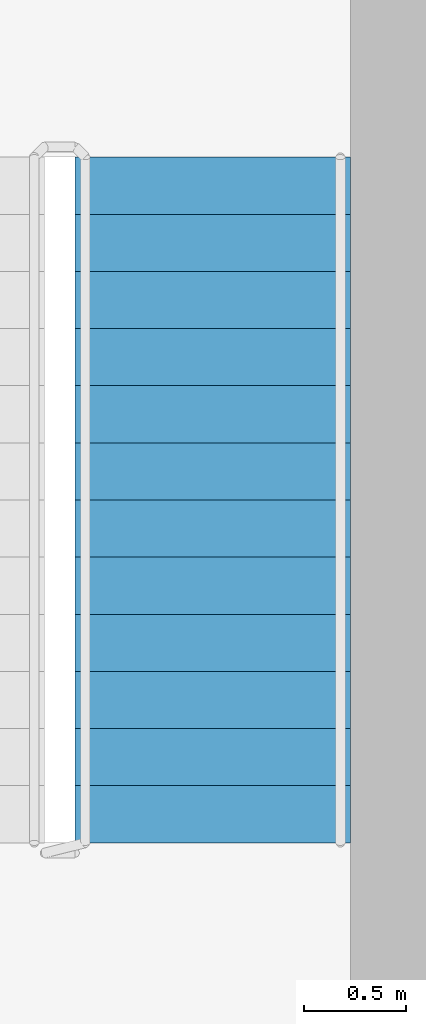
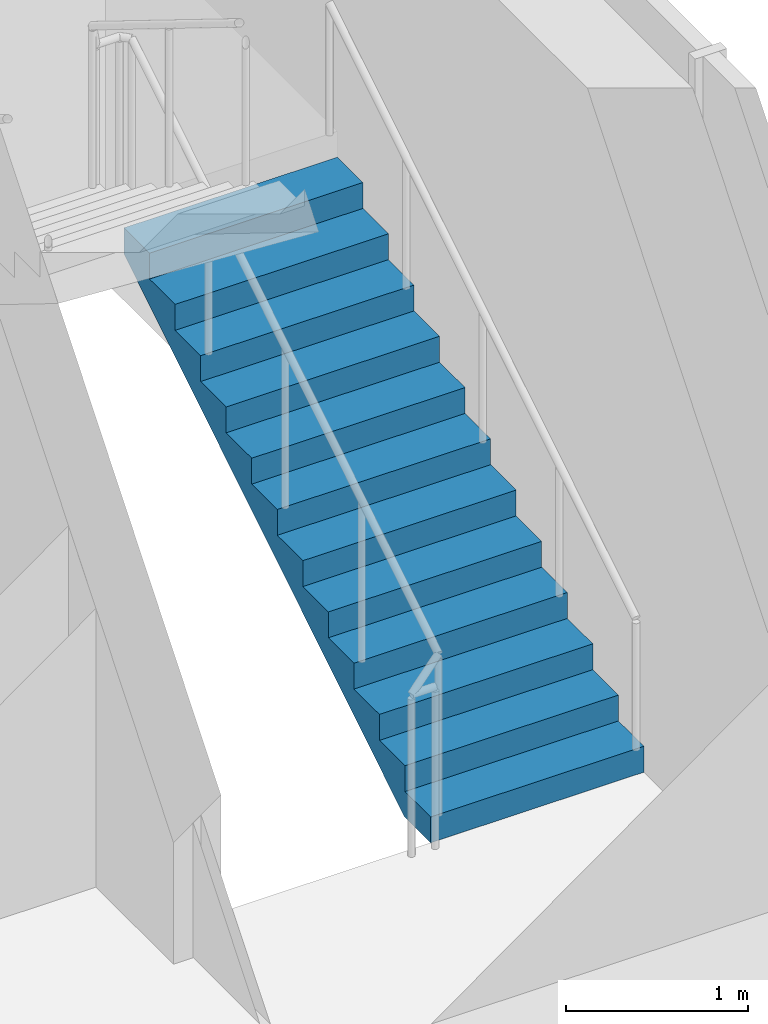
# One storey, part 4 of 5: 1 stair flight, 1 element without a shape of its own.
"""IFC4 building model written with IfcOpenShell, lengths in metres."""

from ifc_helpers import new_model, si_unit, direction, frame, origin, place, context, subcontext, project, spatial, polyline, outline, extrude, material, type_object, element, aggregate, save


model = new_model("IFC4")

# Units and contexts
model_context = context("Model", 3, precision=1e-05, world=origin(), true_north=direction((0.0, 1.0)))
body_context = subcontext(model_context, "Body", "Model", "MODEL_VIEW")
ifc_project = project(units=[si_unit("LENGTHUNIT", "METRE"), si_unit("AREAUNIT", "SQUARE_METRE"), si_unit("VOLUMEUNIT", "CUBIC_METRE"), si_unit("PLANEANGLEUNIT", "RADIAN"), si_unit("MASSUNIT", "GRAM", prefix="KILO")], contexts=[model_context])

# Site, building, storey
site_placement = place(None, origin())
site = spatial("IfcSite", under=ifc_project, at=site_placement, CompositionType="ELEMENT")
building_placement = place(site_placement, origin())
building = spatial("IfcBuilding", under=site, at=building_placement, Name="Finial Court Residences", CompositionType="ELEMENT")
storey_placement = place(building_placement, frame((0.0, 0.0, 316.699951171875)))
storey = spatial("IfcBuildingStorey", under=building, at=storey_placement, Name="L80", CompositionType="ELEMENT", Elevation=316.699951171875)

# Stair, stair flight
ifc_material = material(Name="Concrete C50/60", Category="concrete")
stair_type = type_object("IfcStairType", Name="Exit stair 26 risers of 173.1 mm", PredefinedType="HALF_TURN_STAIR", material=ifc_material)
stair_placement = place(storey_placement, origin())
stair = element("IfcStair", 1, at=stair_placement, inside=storey, type_object=stair_type, Name="L80 Exit stair ST-2", PredefinedType="HALF_TURN_STAIR")
stair_flight_type = type_object("IfcStairFlightType", Name="Exit stair flight", PredefinedType="STRAIGHT", material=ifc_material)
stair_flight_placement = place(storey_placement, frame((11.925048828125, -23.10009765625, 0.0), z_axis=(0.0, 0.0, 1.0), x_axis=(0.0, 1.0, 0.0)))
stair_flight = element("IfcStairFlight", 2, at=stair_flight_placement, type_object=stair_flight_type, Name="ST-2 flight 1", NumberOfRisers=13, NumberOfTreads=12, PredefinedType="STRAIGHT", RiserHeight=0.173076923, TreadLength=0.28, context=body_context, shape_type="SweptSolid", body=[
    extrude(outline(polyline([(0.0, 0.0), (0.0, 0.173095703125), (0.280029296875, 0.173095703125), (0.280029296875, 0.34619140625), (0.56005859375, 0.34619140625), (0.56005859375, 0.519287109375), (0.840087890625, 0.519287109375), (0.840087890625, 0.6923828125), (1.1201171875, 0.6923828125), (1.1201171875, 0.865478515625), (1.39990234375, 0.865478515625), (1.39990234375, 1.03857421875), (1.679931640625, 1.03857421875), (1.679931640625, 1.21142578125), (1.9599609375, 1.21142578125), (1.9599609375, 1.384521484375), (2.239990234375, 1.384521484375), (2.239990234375, 1.5576171875), (2.52001953125, 1.5576171875), (2.52001953125, 1.730712890625), (2.800048828125, 1.730712890625), (2.800048828125, 1.90380859375), (3.080078125, 1.90380859375), (3.080078125, 2.076904296875), (3.360107421875, 2.076904296875), (3.360107421875, 2.25), (3.360107421875, 1.900634765625), (0.28515625, 0.0), (0.0, 0.0)])), frame((0.0, 0.675048828125, 0.0), z_axis=(0.0, -1.0, 0.0), x_axis=(1.0, 0.0, 0.0)), (0.0, 0.0, 1.0), 1.35009765625),
])
aggregate(stair, [stair_flight])

save(model, "model.ifc")
